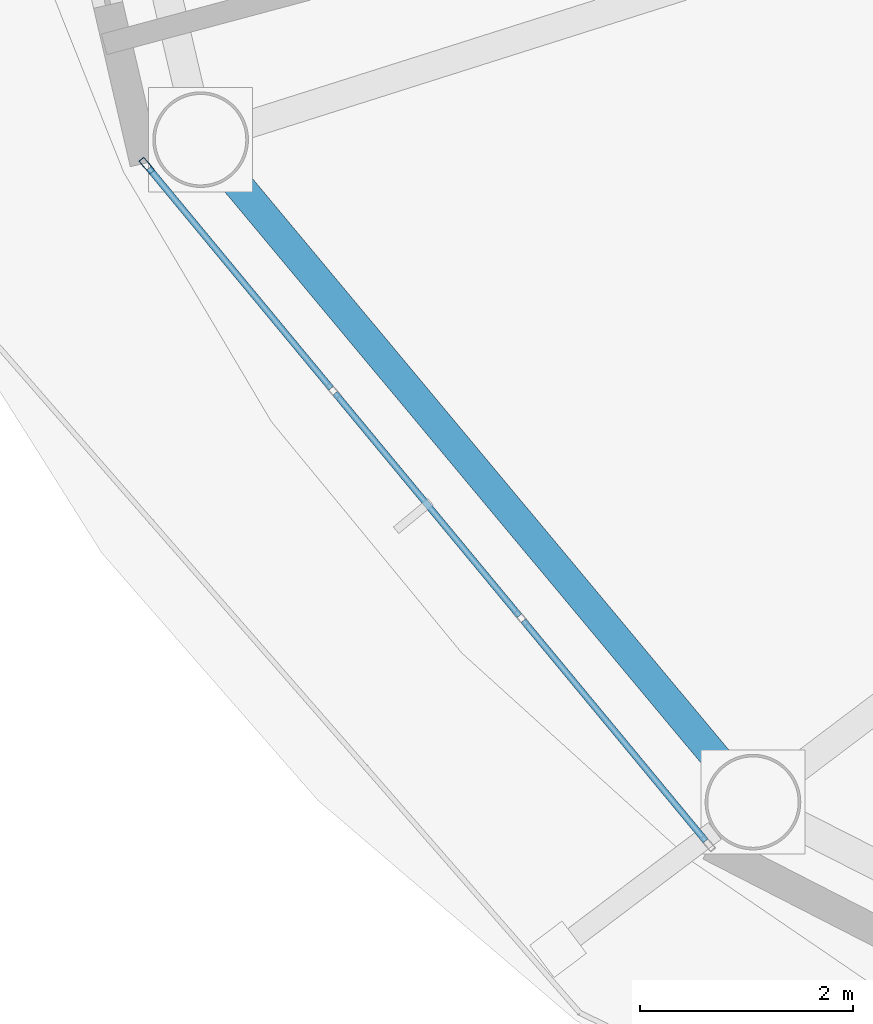
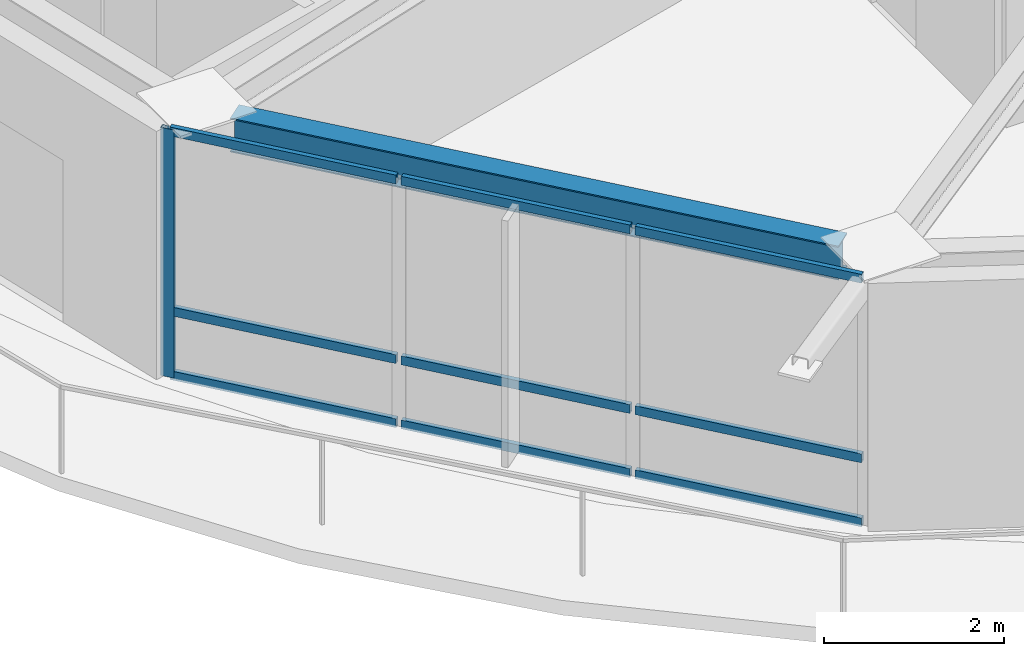
# One storey, part 3 of 23: 10 members, 1 beam, 1 element without a shape of its own.
"""IFC4 building model written with IfcOpenShell, lengths in metres."""

from ifc_helpers import new_model, si_unit, direction, frame, origin, origin_2d, place, context, subcontext, project, spatial, hollow_rectangle, i_section, extrude, material, layer, layer_set, material_profile, profile_set, type_object, element, aggregate, save


model = new_model("IFC4")

# Units and contexts
model_context = context("Model", 3, precision=1e-05, world=origin(), true_north=direction((0.0, 1.0)))
body_context = subcontext(model_context, "Body", "Model", "MODEL_VIEW")
ifc_project = project(units=[si_unit("LENGTHUNIT", "METRE"), si_unit("AREAUNIT", "SQUARE_METRE"), si_unit("VOLUMEUNIT", "CUBIC_METRE"), si_unit("PLANEANGLEUNIT", "RADIAN"), si_unit("MASSUNIT", "GRAM", prefix="KILO")], contexts=[model_context])

# Site, building, storey
site_placement = place(None, origin())
site = spatial("IfcSite", under=ifc_project, at=site_placement, CompositionType="ELEMENT")
building_placement = place(site_placement, origin())
building = spatial("IfcBuilding", under=site, at=building_placement, Name="Sarneth Arch Tower", CompositionType="ELEMENT")
storey_placement = place(building_placement, frame((0.0, 0.0, 262.199951171875)))
storey = spatial("IfcBuildingStorey", under=building, at=storey_placement, Name="L67", CompositionType="ELEMENT", Elevation=262.199951171875)

# Beam
ifc_material_1 = material(Name="Steel S355", Category="steel")
ifc_material_profile_1 = material_profile(ifc_material_1, i_section(OverallWidth=0.280029296875, OverallDepth=0.462890625, WebThickness=0.0107421875, FlangeThickness=0.017333984375, FilletRadius=0.01806640625, at=origin_2d()), Name="W460x113")
ifc_profile_set_1 = profile_set([ifc_material_profile_1], Name="Steel S355")
beam_type = type_object("IfcBeamType", Name="BM-RAD-460A", PredefinedType="BEAM", material=ifc_profile_set_1)
beam_placement = place(storey_placement, frame((25.119384765625, 34.306884765625, 3.138427734375), z_axis=(0.640390876881, -0.768049168222, 0.0), x_axis=(0.768049168222, 0.640390876881, 0.0)))
element("IfcBeam", 1, at=beam_placement, inside=storey, type_object=beam_type, Name="L67 Perimeter spandrel beam 10", PredefinedType="BEAM", context=body_context, shape_type="SweptSolid", body=[
    extrude(i_section(OverallWidth=0.280029296875, OverallDepth=0.462890625, WebThickness=0.0107421875, FlangeThickness=0.017333984375, FilletRadius=0.01806640625, at=origin_2d()), origin(), (0.0, 0.0, 1.0), 7.2099609375),
])

# Curtain wall, members
ifc_material_2 = material(Name="Anodised aluminium Type AA25 and solar-control low-e laminated IGU", Category="aluminium")
ifc_layer = layer(ifc_material_2, 0.179931640625)
ifc_layer_set = layer_set([ifc_layer], Name="Anodised aluminium Type AA25 and solar-control low-e laminated IGU")
curtain_wall_type = type_object("IfcCurtainWallType", Name="CW-RES-HIGH", PredefinedType="NOTDEFINED", material=ifc_layer_set)
curtain_wall_placement = place(storey_placement, origin())
curtain_wall = element("IfcCurtainWall", 2, at=curtain_wall_placement, inside=storey, type_object=curtain_wall_type, Name="L67 Unitised curtain wall facet 10", PredefinedType="NOTDEFINED")
ifc_material_3 = material(Name="Anodised Aluminium 6063-T6", Category="aluminium")
ifc_material_profile_2 = material_profile(ifc_material_3, hollow_rectangle(XDim=0.06005859375, YDim=0.159912109375, WallThickness=0.00390625, at=origin_2d()), Name="AL-MULL-160x60x4")
ifc_profile_set_2 = profile_set([ifc_material_profile_2], Name="Anodised Aluminium 6063-T6")
member_type_1 = type_object("IfcMemberType", Name="CW-MULLION", PredefinedType="MULLION", material=ifc_profile_set_2)
member_1_placement = place(storey_placement, frame((24.325439453125, 34.407470703125, 0.0), z_axis=(0.0, 0.0, 1.0), x_axis=(0.770359245933, 0.637610094184, 0.0)))
member_1 = element("IfcMember", 3, at=member_1_placement, type_object=member_type_1, Name="CW-SYS-6 mullion 1", PredefinedType="MULLION", context=body_context, shape_type="SweptSolid", body=[
    extrude(hollow_rectangle(XDim=0.06005859375, YDim=0.159912109375, WallThickness=0.00390625, at=origin_2d()), origin(), (0.0, 0.0, 1.0), 3.3701171875),
])
ifc_material_4 = material(Name="Anodised Aluminium 6063-T6", Category="aluminium")
ifc_material_profile_3 = material_profile(ifc_material_4, hollow_rectangle(XDim=0.06005859375, YDim=0.1201171875, WallThickness=0.00390625, at=origin_2d()), Name="AL-TRAN-120x60x4")
ifc_profile_set_3 = profile_set([ifc_material_profile_3], Name="Anodised Aluminium 6063-T6")
member_type_2 = type_object("IfcMemberType", Name="CW-TRANSOM", PredefinedType="USERDEFINED", material=ifc_profile_set_3)
member_2_placement = place(storey_placement, frame((24.344482421875, 34.38427734375, 0.030029296875), z_axis=(0.637651400067, -0.770325056059, 0.0), x_axis=(0.770325056059, 0.637651400067, 0.0)))
member_2 = element("IfcMember", 4, at=member_2_placement, type_object=member_type_2, Name="CW-SYS-6 transom 1.1", ObjectType="TRANSOM", PredefinedType="USERDEFINED", context=body_context, shape_type="SweptSolid", body=[
    extrude(hollow_rectangle(XDim=0.06005859375, YDim=0.1201171875, WallThickness=0.00390625, at=origin_2d()), origin(), (0.0, 0.0, 1.0), 2.6865234375),
])
member_3_placement = place(storey_placement, frame((24.344482421875, 34.38427734375, 0.900146484375), z_axis=(0.637651400067, -0.770325056059, 0.0), x_axis=(0.770325056059, 0.637651400067, 0.0)))
member_3 = element("IfcMember", 5, at=member_3_placement, type_object=member_type_2, Name="CW-SYS-6 transom 1.2", ObjectType="TRANSOM", PredefinedType="USERDEFINED", context=body_context, shape_type="SweptSolid", body=[
    extrude(hollow_rectangle(XDim=0.06005859375, YDim=0.1201171875, WallThickness=0.00390625, at=origin_2d()), origin(), (0.0, 0.0, 1.0), 2.6865234375),
])
member_4_placement = place(storey_placement, frame((24.344482421875, 34.38427734375, 3.340087890625), z_axis=(0.637651400067, -0.770325056059, 0.0), x_axis=(0.770325056059, 0.637651400067, 0.0)))
member_4 = element("IfcMember", 6, at=member_4_placement, type_object=member_type_2, Name="CW-SYS-6 transom 1.3", ObjectType="TRANSOM", PredefinedType="USERDEFINED", context=body_context, shape_type="SweptSolid", body=[
    extrude(hollow_rectangle(XDim=0.06005859375, YDim=0.1201171875, WallThickness=0.00390625, at=origin_2d()), origin(), (0.0, 0.0, 1.0), 2.6865234375),
])
member_5_placement = place(storey_placement, frame((26.095703125, 32.268310546875, 0.030029296875), z_axis=(0.637617371902, -0.770353222261, 0.0), x_axis=(0.770353222261, 0.637617371902, 0.0)))
member_5 = element("IfcMember", 7, at=member_5_placement, type_object=member_type_2, Name="CW-SYS-6 transom 2.1", ObjectType="TRANSOM", PredefinedType="USERDEFINED", context=body_context, shape_type="SweptSolid", body=[
    extrude(hollow_rectangle(XDim=0.06005859375, YDim=0.1201171875, WallThickness=0.00390625, at=origin_2d()), origin(), (0.0, 0.0, 1.0), 2.716552734375),
])
member_6_placement = place(storey_placement, frame((26.095703125, 32.268310546875, 0.900146484375), z_axis=(0.637617371902, -0.770353222261, 0.0), x_axis=(0.770353222261, 0.637617371902, 0.0)))
member_6 = element("IfcMember", 8, at=member_6_placement, type_object=member_type_2, Name="CW-SYS-6 transom 2.2", ObjectType="TRANSOM", PredefinedType="USERDEFINED", context=body_context, shape_type="SweptSolid", body=[
    extrude(hollow_rectangle(XDim=0.06005859375, YDim=0.1201171875, WallThickness=0.00390625, at=origin_2d()), origin(), (0.0, 0.0, 1.0), 2.716552734375),
])
member_7_placement = place(storey_placement, frame((26.095703125, 32.268310546875, 3.340087890625), z_axis=(0.637617371902, -0.770353222261, 0.0), x_axis=(0.770353222261, 0.637617371902, 0.0)))
member_7 = element("IfcMember", 9, at=member_7_placement, type_object=member_type_2, Name="CW-SYS-6 transom 2.3", ObjectType="TRANSOM", PredefinedType="USERDEFINED", context=body_context, shape_type="SweptSolid", body=[
    extrude(hollow_rectangle(XDim=0.06005859375, YDim=0.1201171875, WallThickness=0.00390625, at=origin_2d()), origin(), (0.0, 0.0, 1.0), 2.716552734375),
])
member_8_placement = place(storey_placement, frame((27.8662109375, 30.12939453125, 0.030029296875), z_axis=(0.637606765719, -0.770362000821, 0.0), x_axis=(0.770362000821, 0.637606765719, 0.0)))
member_8 = element("IfcMember", 10, at=member_8_placement, type_object=member_type_2, Name="CW-SYS-6 transom 3.1", ObjectType="TRANSOM", PredefinedType="USERDEFINED", context=body_context, shape_type="SweptSolid", body=[
    extrude(hollow_rectangle(XDim=0.06005859375, YDim=0.1201171875, WallThickness=0.00390625, at=origin_2d()), origin(), (0.0, 0.0, 1.0), 2.686767578125),
])
member_9_placement = place(storey_placement, frame((27.8662109375, 30.12939453125, 0.900146484375), z_axis=(0.637606765719, -0.770362000821, 0.0), x_axis=(0.770362000821, 0.637606765719, 0.0)))
member_9 = element("IfcMember", 11, at=member_9_placement, type_object=member_type_2, Name="CW-SYS-6 transom 3.2", ObjectType="TRANSOM", PredefinedType="USERDEFINED", context=body_context, shape_type="SweptSolid", body=[
    extrude(hollow_rectangle(XDim=0.06005859375, YDim=0.1201171875, WallThickness=0.00390625, at=origin_2d()), origin(), (0.0, 0.0, 1.0), 2.686767578125),
])
member_10_placement = place(storey_placement, frame((27.8662109375, 30.12939453125, 3.340087890625), z_axis=(0.637606765719, -0.770362000821, 0.0), x_axis=(0.770362000821, 0.637606765719, 0.0)))
member_10 = element("IfcMember", 12, at=member_10_placement, type_object=member_type_2, Name="CW-SYS-6 transom 3.3", ObjectType="TRANSOM", PredefinedType="USERDEFINED", context=body_context, shape_type="SweptSolid", body=[
    extrude(hollow_rectangle(XDim=0.06005859375, YDim=0.1201171875, WallThickness=0.00390625, at=origin_2d()), origin(), (0.0, 0.0, 1.0), 2.686767578125),
])
aggregate(curtain_wall, [member_1, member_2, member_3, member_4, member_5, member_6, member_7, member_8, member_9, member_10])

save(model, "model.ifc")
